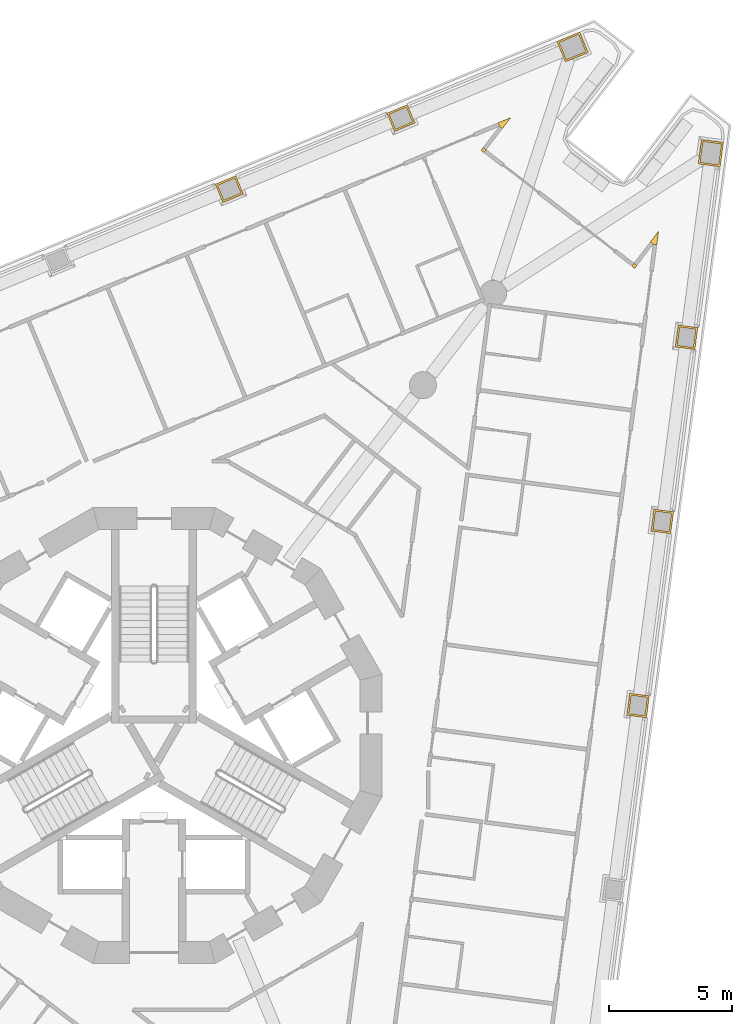
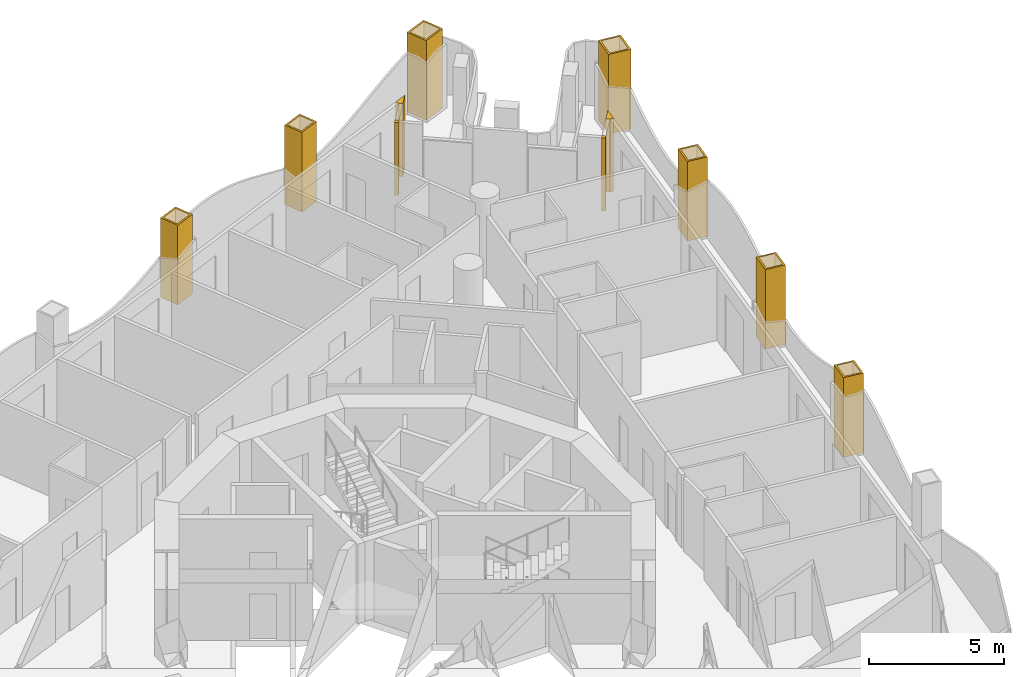
# One storey, part 16 of 17: 11 coverings.
"""IFC4 building model written with IfcOpenShell, lengths in metres."""

from ifc_helpers import new_model, si_unit, direction, frame, origin, place, context, subcontext, project, spatial, polyline, outline, extrude, material, layer, layer_set, type_object, element, save


model = new_model("IFC4")

# Units and contexts
model_context = context("Model", 3, precision=1e-05, world=origin(), true_north=direction((0.0, 1.0)))
body_context = subcontext(model_context, "Body", "Model", "MODEL_VIEW")
ifc_project = project(units=[si_unit("LENGTHUNIT", "METRE"), si_unit("AREAUNIT", "SQUARE_METRE"), si_unit("VOLUMEUNIT", "CUBIC_METRE"), si_unit("PLANEANGLEUNIT", "RADIAN"), si_unit("MASSUNIT", "GRAM", prefix="KILO")], contexts=[model_context])

# Site, building, storey
site_placement = place(None, origin())
site = spatial("IfcSite", under=ifc_project, at=site_placement, CompositionType="ELEMENT")
building_placement = place(site_placement, origin())
building = spatial("IfcBuilding", under=site, at=building_placement, Name="Trine Commons Tower", CompositionType="ELEMENT")
storey_placement = place(building_placement, frame((0.0, 0.0, 127.800048828125)))
storey = spatial("IfcBuildingStorey", under=building, at=storey_placement, Name="L32", CompositionType="ELEMENT", Elevation=127.800048828125)

# Coverings
ifc_material_1 = material(Name="Aluminium-framed insulated wall panel", Category="aluminium")
ifc_layer_1 = layer(ifc_material_1, 0.14990234375)
ifc_layer_set_1 = layer_set([ifc_layer_1], Name="Aluminium-framed insulated wall panel")
covering_type_1 = type_object("IfcCoveringType", Name="Glazing corner post, aluminium", PredefinedType="CLADDING", material=ifc_layer_set_1)
covering_1_placement = place(storey_placement, origin())
element("IfcCovering", 1, at=covering_1_placement, inside=storey, type_object=covering_type_1, Name="Glazing corner post 4-05", PredefinedType="CLADDING", context=body_context, shape_type="SweptSolid", body=[
    extrude(outline(polyline([(94.04248046875, 87.272705078125), (94.04248046875, 87.272705078125), (94.16162109375, 87.181396484375), (94.50244140625, 87.62548828125), (93.985107421875, 87.411376953125), (94.04248046875, 87.272705078125)])), origin(), (0.0, 0.0, 1.0), 3.300048828125),
])
covering_2_placement = place(storey_placement, origin())
element("IfcCovering", 2, at=covering_2_placement, inside=storey, type_object=covering_type_1, Name="Glazing corner post 4-06", PredefinedType="CLADDING", context=body_context, shape_type="SweptSolid", body=[
    extrude(outline(polyline([(93.4091796875, 86.201171875), (93.50048828125, 86.320068359375), (93.381591796875, 86.411376953125), (93.290283203125, 86.29248046875), (93.4091796875, 86.201171875)])), origin(), (0.0, 0.0, 1.0), 3.300048828125),
])
covering_3_placement = place(storey_placement, origin())
element("IfcCovering", 3, at=covering_3_placement, inside=storey, type_object=covering_type_1, Name="Glazing corner post 4-07", PredefinedType="CLADDING", context=body_context, shape_type="SweptSolid", body=[
    extrude(outline(polyline([(99.4228515625, 81.586669921875), (99.5419921875, 81.495361328125), (99.63330078125, 81.614501953125), (99.514404296875, 81.705810546875), (99.4228515625, 81.586669921875)])), origin(), (0.0, 0.0, 1.0), 3.300048828125),
])
covering_4_placement = place(storey_placement, origin())
element("IfcCovering", 4, at=covering_4_placement, inside=storey, type_object=covering_type_1, Name="Glazing corner post 4-08", PredefinedType="CLADDING", context=body_context, shape_type="SweptSolid", body=[
    extrude(outline(polyline([(100.44287109375, 82.456298828125), (100.51611328125, 83.01123046875), (100.17529296875, 82.567138671875), (100.294189453125, 82.475830078125), (100.44287109375, 82.456298828125)])), origin(), (0.0, 0.0, 1.0), 3.300048828125),
])
ifc_material_2 = material(Name="Limestone, honed", Category="masonry")
ifc_layer_2 = layer(ifc_material_2, 0.074951171875)
ifc_layer_set_2 = layer_set([ifc_layer_2], Name="Limestone, honed")
covering_type_2 = type_object("IfcCoveringType", Name="Limestone column cladding 75", PredefinedType="CLADDING", material=ifc_layer_set_2)
covering_5_placement = place(storey_placement, origin())
element("IfcCovering", 5, at=covering_5_placement, inside=storey, type_object=covering_type_2, Name="Limestone pier cladding 4-14", PredefinedType="CLADDING", context=body_context, shape_type="SweptSolid", body=[
    extrude(outline(polyline([(83.62841796875, 84.517822265625), (83.322265625, 85.2568359375), (82.49072265625, 84.912353515625), (82.796875, 84.17333984375), (83.62841796875, 84.517822265625)]), holes=[polyline([(83.5302734375, 84.558349609375), (83.281494140625, 85.158935546875), (82.588623046875, 84.871826171875), (82.83740234375, 84.271240234375), (83.5302734375, 84.558349609375)])]), origin(), (0.0, 0.0, 1.0), 3.599853515625),
])
covering_6_placement = place(storey_placement, origin())
element("IfcCovering", 6, at=covering_6_placement, inside=storey, type_object=covering_type_2, Name="Limestone pier cladding 4-15", PredefinedType="CLADDING", context=body_context, shape_type="SweptSolid", body=[
    extrude(outline(polyline([(90.60546875, 87.40771484375), (90.29931640625, 88.14697265625), (89.4677734375, 87.802490234375), (89.77392578125, 87.063232421875), (90.60546875, 87.40771484375)]), holes=[polyline([(90.50732421875, 87.4482421875), (90.2587890625, 88.048828125), (89.56591796875, 87.761962890625), (89.814453125, 87.161376953125), (90.50732421875, 87.4482421875)])]), origin(), (0.0, 0.0, 1.0), 3.599853515625),
])
covering_7_placement = place(storey_placement, origin())
element("IfcCovering", 7, at=covering_7_placement, inside=storey, type_object=covering_type_2, Name="Limestone pier cladding 4-16", PredefinedType="CLADDING", context=body_context, shape_type="SweptSolid", body=[
    extrude(outline(polyline([(97.647705078125, 90.270751953125), (97.30322265625, 91.102294921875), (96.37939453125, 90.719482421875), (96.723876953125, 89.887939453125), (97.647705078125, 90.270751953125)]), holes=[polyline([(97.5498046875, 90.311279296875), (97.2626953125, 91.004150390625), (96.477294921875, 90.678955078125), (96.764404296875, 89.986083984375), (97.5498046875, 90.311279296875)])]), origin(), (0.0, 0.0, 1.0), 3.599853515625),
])
covering_8_placement = place(storey_placement, origin())
element("IfcCovering", 8, at=covering_8_placement, inside=storey, type_object=covering_type_2, Name="Limestone pier cladding 4-17", PredefinedType="CLADDING", context=body_context, shape_type="SweptSolid", body=[
    extrude(outline(polyline([(103.149169921875, 86.61669921875), (102.2568359375, 86.734130859375), (102.126220703125, 85.74267578125), (103.0185546875, 85.625), (103.149169921875, 86.61669921875)]), holes=[polyline([(103.06494140625, 86.552001953125), (102.3212890625, 86.64990234375), (102.21044921875, 85.80712890625), (102.9541015625, 85.709228515625), (103.06494140625, 86.552001953125)])]), origin(), (0.0, 0.0, 1.0), 3.599853515625),
])
covering_9_placement = place(storey_placement, origin())
element("IfcCovering", 9, at=covering_9_placement, inside=storey, type_object=covering_type_2, Name="Limestone pier cladding 4-18", PredefinedType="CLADDING", context=body_context, shape_type="SweptSolid", body=[
    extrude(outline(polyline([(102.107421875, 79.086181640625), (101.314208984375, 79.190673828125), (101.19677734375, 78.29833984375), (101.98974609375, 78.19384765625), (102.107421875, 79.086181640625)]), holes=[polyline([(102.023193359375, 79.021484375), (101.378662109375, 79.1064453125), (101.28076171875, 78.36279296875), (101.92529296875, 78.278076171875), (102.023193359375, 79.021484375)])]), origin(), (0.0, 0.0, 1.0), 3.599853515625),
])
covering_10_placement = place(storey_placement, origin())
element("IfcCovering", 10, at=covering_10_placement, inside=storey, type_object=covering_type_2, Name="Limestone pier cladding 4-19", PredefinedType="CLADDING", context=body_context, shape_type="SweptSolid", body=[
    extrude(outline(polyline([(101.12158203125, 71.598876953125), (100.328369140625, 71.703369140625), (100.2109375, 70.81103515625), (101.00390625, 70.70654296875), (101.12158203125, 71.598876953125)]), holes=[polyline([(101.037353515625, 71.5341796875), (100.392822265625, 71.619140625), (100.294921875, 70.87548828125), (100.939453125, 70.790771484375), (101.037353515625, 71.5341796875)])]), origin(), (0.0, 0.0, 1.0), 3.599853515625),
])
covering_11_placement = place(storey_placement, origin())
element("IfcCovering", 11, at=covering_11_placement, inside=storey, type_object=covering_type_2, Name="Limestone pier cladding 4-20", PredefinedType="CLADDING", context=body_context, shape_type="SweptSolid", body=[
    extrude(outline(polyline([(100.1357421875, 64.111572265625), (99.3427734375, 64.216064453125), (99.22509765625, 63.32373046875), (100.018310546875, 63.21923828125), (100.1357421875, 64.111572265625)]), holes=[polyline([(100.0517578125, 64.047119140625), (99.4072265625, 64.1318359375), (99.309326171875, 63.38818359375), (99.953857421875, 63.303466796875), (100.0517578125, 64.047119140625)])]), origin(), (0.0, 0.0, 1.0), 3.599853515625),
])

save(model, "model.ifc")
